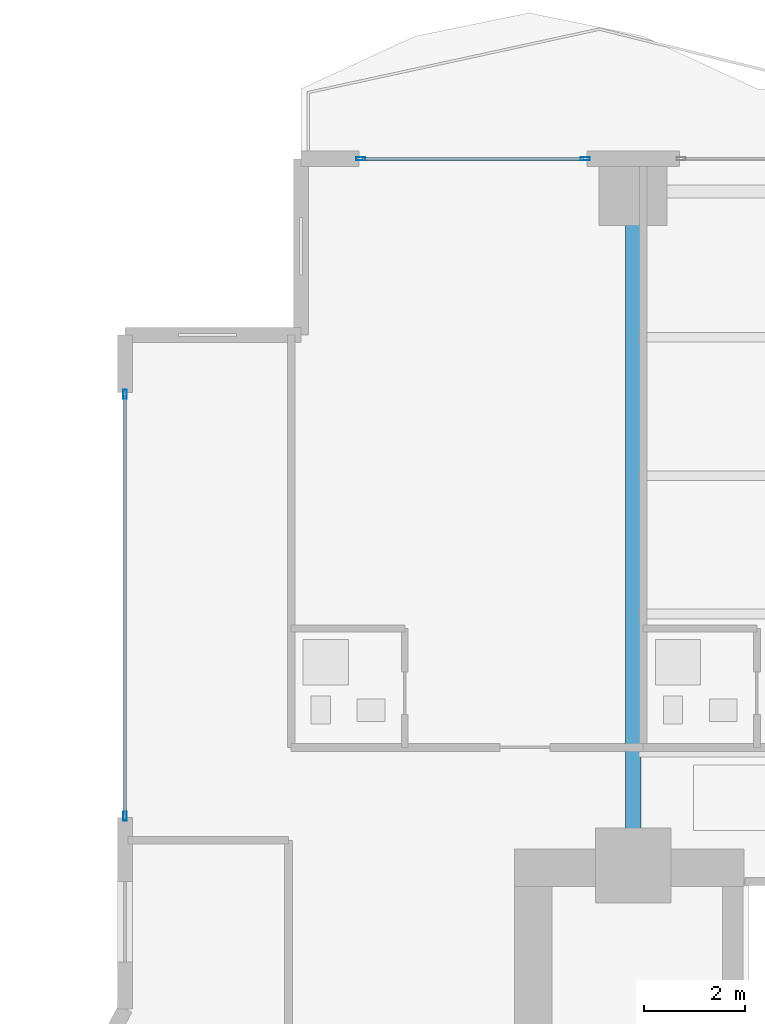
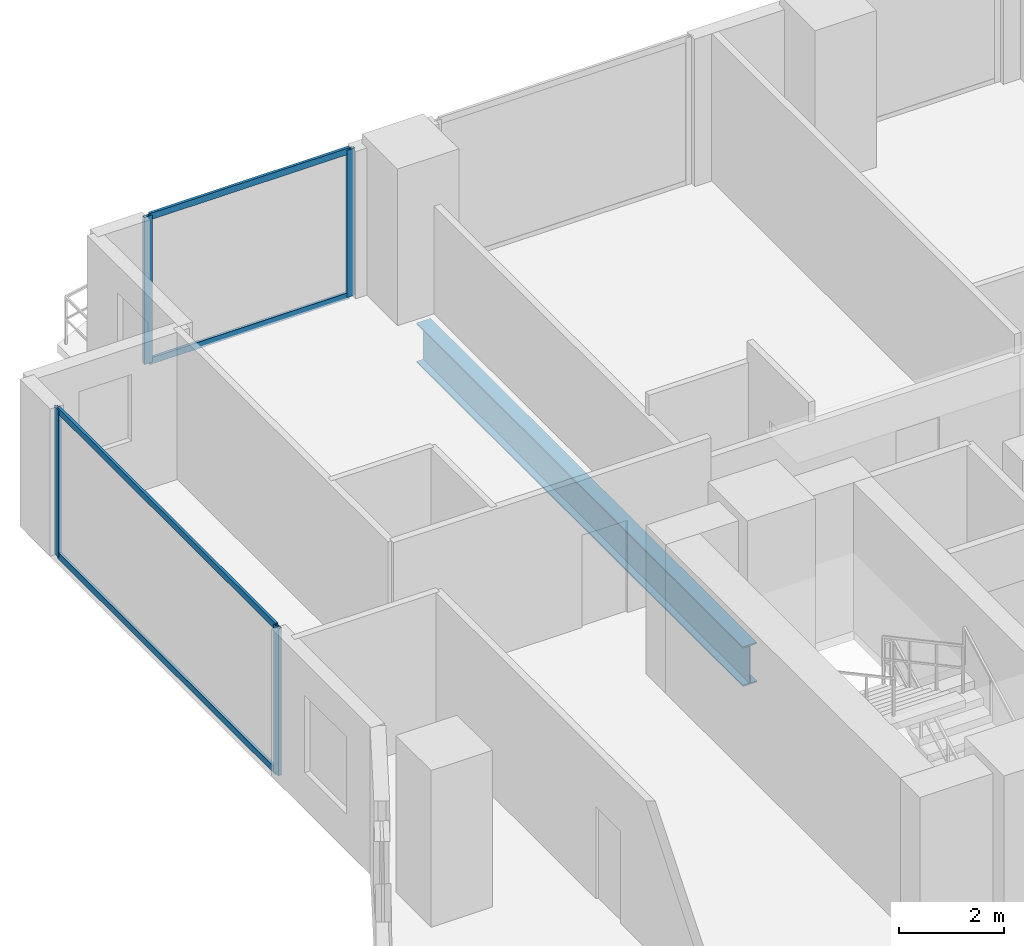
# One storey, part 14 of 30: 8 members, 1 beam, 2 elements without a shape of their own.
"""IFC4 building model written with IfcOpenShell, lengths in metres."""

from ifc_helpers import new_model, si_unit, direction, frame, origin, origin_2d, place, context, subcontext, project, spatial, hollow_rectangle, i_section, extrude, material, layer, layer_set, material_profile, profile_set, type_object, element, aggregate, save


model = new_model("IFC4")

# Units and contexts
model_context = context("Model", 3, precision=1e-05, world=origin(), true_north=direction((0.0, 1.0)))
body_context = subcontext(model_context, "Body", "Model", "MODEL_VIEW")
ifc_project = project(units=[si_unit("LENGTHUNIT", "METRE"), si_unit("AREAUNIT", "SQUARE_METRE"), si_unit("VOLUMEUNIT", "CUBIC_METRE"), si_unit("PLANEANGLEUNIT", "RADIAN"), si_unit("MASSUNIT", "GRAM", prefix="KILO")], contexts=[model_context])

# Site, building, storey
site_placement = place(None, origin())
site = spatial("IfcSite", under=ifc_project, at=site_placement, CompositionType="ELEMENT")
building_placement = place(site_placement, origin())
building = spatial("IfcBuilding", under=site, at=building_placement, Name="Zuhayl Quay Hotel", CompositionType="ELEMENT")
storey_placement = place(building_placement, frame((0.0, 0.0, 135.800048828125)))
storey = spatial("IfcBuildingStorey", under=building, at=storey_placement, Name="L34", CompositionType="ELEMENT", Elevation=135.800048828125)

# Beam
ifc_material_1 = material(Name="Steel ASTM A992 Grade 50", Category="steel")
ifc_material_profile_1 = material_profile(ifc_material_1, i_section(OverallWidth=0.306884765625, OverallDepth=0.927001953125, WebThickness=0.019287109375, FlangeThickness=0.031982421875, at=origin_2d()), Name="W36X194")
ifc_profile_set_1 = profile_set([ifc_material_profile_1], Name="Steel ASTM A992 Grade 50")
beam_type = type_object("IfcBeamType", Name="BM_PG2_W36X194", PredefinedType="BEAM", material=ifc_profile_set_1)
beam_placement = place(storey_placement, frame((-13.800048828125, 14.800048828125, -0.68359375), z_axis=(0.0, 1.0, 0.0), x_axis=(-1.0, 0.0, 0.0)))
element("IfcBeam", 1, at=beam_placement, inside=storey, type_object=beam_type, Name="L34 Floor Beam FG_N_L34_1", PredefinedType="BEAM", context=body_context, shape_type="SweptSolid", body=[
    extrude(i_section(OverallWidth=0.306884765625, OverallDepth=0.927001953125, WebThickness=0.019287109375, FlangeThickness=0.031982421875, at=origin_2d()), origin(), (0.0, 0.0, 1.0), 12.449951171875),
])

# Curtain wall, members
ifc_material_2 = material(Name="Anodised Aluminium 6063-T6", Category="aluminium")
ifc_layer = layer(ifc_material_2, 0.179931640625, Name="Anodised Aluminium 6063-T6", Category="aluminium")
ifc_layer_set = layer_set([ifc_layer], Name="Anodised Aluminium 6063-T6")
curtain_wall_type = type_object("IfcCurtainWallType", Name="CW_SYS_Z2", PredefinedType="USERDEFINED", material=ifc_layer_set)
curtain_wall_1_placement = place(storey_placement, origin())
curtain_wall_1 = element("IfcCurtainWall", 2, at=curtain_wall_1_placement, inside=storey, type_object=curtain_wall_type, Name="L34 Curtain Wall ENV_L34_E05_CW1", ObjectType="UNITISED CURTAIN WALL", PredefinedType="USERDEFINED")
ifc_material_3 = material(Name="Black-anodised aluminium 6063-T6", Category="aluminium")
ifc_material_profile_2 = material_profile(ifc_material_3, hollow_rectangle(XDim=0.06494140625, YDim=0.179931640625, WallThickness=0.00341796875, at=origin_2d()), Name="ALU180X65")
ifc_profile_set_2 = profile_set([ifc_material_profile_2], Name="Black-anodised aluminium 6063-T6")
member_type_1 = type_object("IfcMemberType", Name="MB_CW_MUL_180", PredefinedType="MULLION", material=ifc_profile_set_2)
member_1_placement = place(storey_placement, frame((-23.89990234375, 15.33251953125, 0.0), z_axis=(0.0, 0.0, 1.0), x_axis=(-1.0, 0.0, 0.0)))
member_1 = element("IfcMember", 3, at=member_1_placement, type_object=member_type_1, Name="CW-Z2 mullion 1", PredefinedType="MULLION", context=body_context, shape_type="SweptSolid", body=[
    extrude(hollow_rectangle(XDim=0.06494140625, YDim=0.179931640625, WallThickness=0.00341796875, at=origin_2d()), origin(), (0.0, 0.0, 1.0), 3.429931640625),
])
member_2_placement = place(storey_placement, frame((-23.89990234375, 23.717529296875, 0.0), z_axis=(0.0, 0.0, 1.0), x_axis=(-1.0, 0.0, 0.0)))
member_2 = element("IfcMember", 4, at=member_2_placement, type_object=member_type_1, Name="CW-Z2 mullion 2", PredefinedType="MULLION", context=body_context, shape_type="SweptSolid", body=[
    extrude(hollow_rectangle(XDim=0.06494140625, YDim=0.179931640625, WallThickness=0.00341796875, at=origin_2d()), origin(), (0.0, 0.0, 1.0), 3.429931640625),
])

curtain_wall_2_placement = place(storey_placement, origin())
curtain_wall_2 = element("IfcCurtainWall", 5, at=curtain_wall_2_placement, inside=storey, type_object=curtain_wall_type, Name="L34 Curtain Wall ENV_L34_N_CW1", ObjectType="UNITISED CURTAIN WALL", PredefinedType="USERDEFINED")
member_3_placement = place(storey_placement, frame((-19.217529296875, 28.39990234375, 0.0), z_axis=(0.0, 0.0, 1.0), x_axis=(0.0, 1.0, 0.0)))
member_3 = element("IfcMember", 6, at=member_3_placement, type_object=member_type_1, Name="CW-Z2 mullion 1", PredefinedType="MULLION", context=body_context, shape_type="SweptSolid", body=[
    extrude(hollow_rectangle(XDim=0.06494140625, YDim=0.179931640625, WallThickness=0.00341796875, at=origin_2d()), origin(), (0.0, 0.0, 1.0), 3.429931640625),
])
member_4_placement = place(storey_placement, frame((-14.75244140625, 28.39990234375, 0.0), z_axis=(0.0, 0.0, 1.0), x_axis=(0.0, 1.0, 0.0)))
member_4 = element("IfcMember", 7, at=member_4_placement, type_object=member_type_1, Name="CW-Z2 mullion 2", PredefinedType="MULLION", context=body_context, shape_type="SweptSolid", body=[
    extrude(hollow_rectangle(XDim=0.06494140625, YDim=0.179931640625, WallThickness=0.00341796875, at=origin_2d()), origin(), (0.0, 0.0, 1.0), 3.429931640625),
])

# Member
ifc_material_profile_3 = material_profile(ifc_material_3, hollow_rectangle(XDim=0.06005859375, YDim=0.14990234375, WallThickness=0.00341796875, at=origin_2d()), Name="ALU150X60")
ifc_profile_set_3 = profile_set([ifc_material_profile_3], Name="Black-anodised aluminium 6063-T6")
member_type_2 = type_object("IfcMemberType", Name="MB_CW_TRN_150", PredefinedType="USERDEFINED", material=ifc_profile_set_3)
member_5_placement = place(storey_placement, frame((-23.89990234375, 15.364990234375, 0.030029296875), z_axis=(0.0, 1.0, 0.0), x_axis=(-1.0, 0.0, 0.0)))
member_5 = element("IfcMember", 8, at=member_5_placement, type_object=member_type_2, Name="CW-Z2 transom 1.1", ObjectType="TRANSOM", PredefinedType="USERDEFINED", context=body_context, shape_type="SweptSolid", body=[
    extrude(hollow_rectangle(XDim=0.06005859375, YDim=0.14990234375, WallThickness=0.00341796875, at=origin_2d()), origin(), (0.0, 0.0, 1.0), 8.320068359375),
])

member_6_placement = place(storey_placement, frame((-23.89990234375, 15.364990234375, 3.39990234375), z_axis=(0.0, 1.0, 0.0), x_axis=(-1.0, 0.0, 0.0)))
member_6 = element("IfcMember", 9, at=member_6_placement, type_object=member_type_2, Name="CW-Z2 transom 1.2", ObjectType="TRANSOM", PredefinedType="USERDEFINED", context=body_context, shape_type="SweptSolid", body=[
    extrude(hollow_rectangle(XDim=0.06005859375, YDim=0.14990234375, WallThickness=0.00341796875, at=origin_2d()), origin(), (0.0, 0.0, 1.0), 8.320068359375),
])

aggregate(curtain_wall_1, [member_1, member_2, member_5, member_6])

member_7_placement = place(storey_placement, frame((-19.18505859375, 28.39990234375, 0.030029296875), z_axis=(1.0, 0.0, 0.0), x_axis=(0.0, 1.0, 0.0)))
member_7 = element("IfcMember", 10, at=member_7_placement, type_object=member_type_2, Name="CW-Z2 transom 1.1", ObjectType="TRANSOM", PredefinedType="USERDEFINED", context=body_context, shape_type="SweptSolid", body=[
    extrude(hollow_rectangle(XDim=0.06005859375, YDim=0.14990234375, WallThickness=0.00341796875, at=origin_2d()), origin(), (0.0, 0.0, 1.0), 4.400146484375),
])

member_8_placement = place(storey_placement, frame((-19.18505859375, 28.39990234375, 3.39990234375), z_axis=(1.0, 0.0, 0.0), x_axis=(0.0, 1.0, 0.0)))
member_8 = element("IfcMember", 11, at=member_8_placement, type_object=member_type_2, Name="CW-Z2 transom 1.2", ObjectType="TRANSOM", PredefinedType="USERDEFINED", context=body_context, shape_type="SweptSolid", body=[
    extrude(hollow_rectangle(XDim=0.06005859375, YDim=0.14990234375, WallThickness=0.00341796875, at=origin_2d()), origin(), (0.0, 0.0, 1.0), 4.400146484375),
])

aggregate(curtain_wall_2, [member_3, member_4, member_7, member_8])

save(model, "model.ifc")
